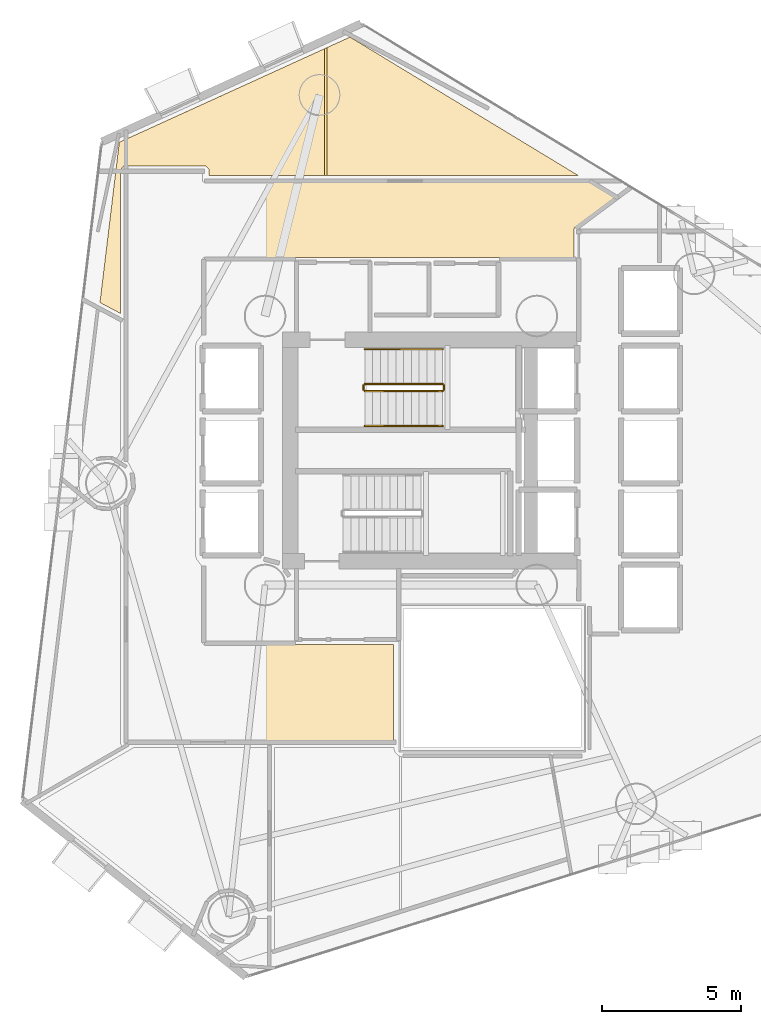
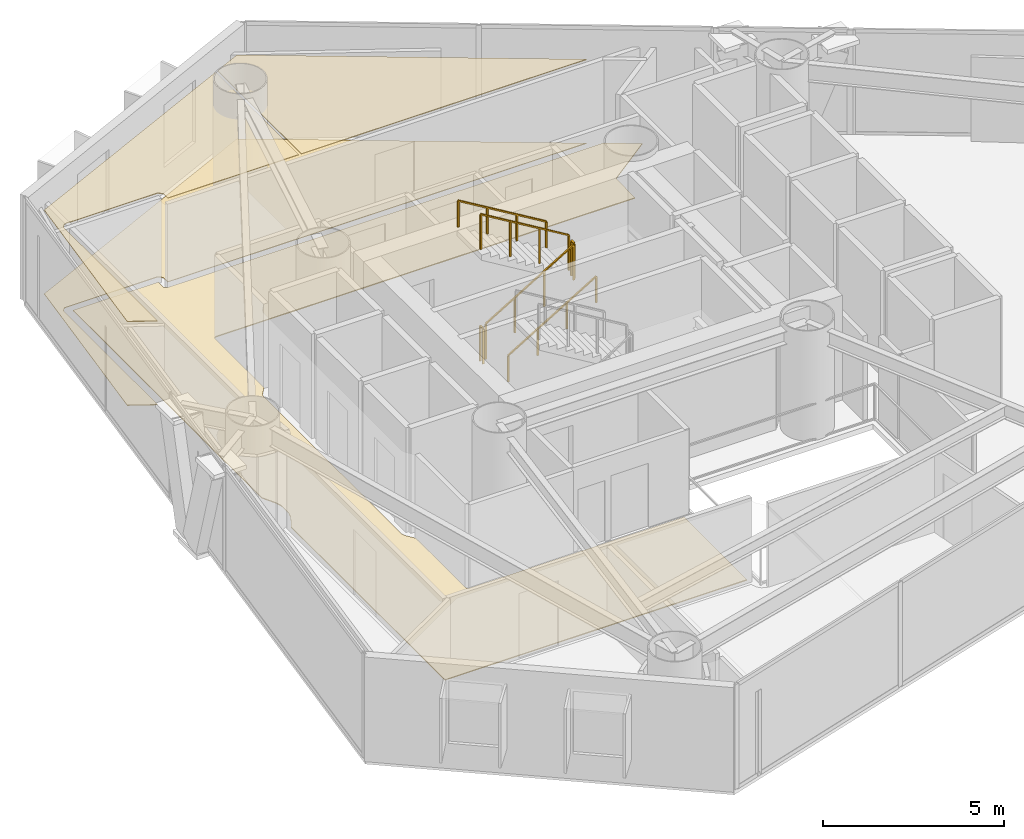
# One storey, part 18 of 18: 6 railings, 4 coverings.
"""IFC4 building model written with IfcOpenShell, lengths in metres."""

from ifc_helpers import new_model, si_unit, direction, frame, origin, origin_2d, place, context, subcontext, project, spatial, polyline, rectangle, outline, extrude, material, layer, layer_set, type_object, element, save


model = new_model("IFC4")

# Units and contexts
model_context = context("Model", 3, precision=1e-05, world=origin(), true_north=direction((0.0, 1.0)))
body_context = subcontext(model_context, "Body", "Model", "MODEL_VIEW")
ifc_project = project(units=[si_unit("LENGTHUNIT", "METRE"), si_unit("AREAUNIT", "SQUARE_METRE"), si_unit("VOLUMEUNIT", "CUBIC_METRE"), si_unit("PLANEANGLEUNIT", "RADIAN"), si_unit("MASSUNIT", "GRAM", prefix="KILO")], contexts=[model_context])

# Site, building, storey
site_placement = place(None, origin())
site = spatial("IfcSite", under=ifc_project, at=site_placement, CompositionType="ELEMENT")
building_placement = place(site_placement, origin())
building = spatial("IfcBuilding", under=site, at=building_placement, Name="Qianvela Tower", CompositionType="ELEMENT")
storey_placement = place(building_placement, frame((0.0, 0.0, 116.300048828125)))
storey = spatial("IfcBuildingStorey", under=building, at=storey_placement, Name="L29", CompositionType="ELEMENT", Elevation=116.300048828125)

# Coverings
ifc_material_1 = material(Name="Perforated Mineral Acoustic Ceiling Tile")
ifc_layer_1 = layer(ifc_material_1, 0.02490234375)
ifc_layer_set_1 = layer_set([ifc_layer_1], Name="Perforated Mineral Acoustic Ceiling Tile")
covering_type_1 = type_object("IfcCoveringType", Name="COV-CEIL-ACOUSTIC-25", PredefinedType="CEILING", material=ifc_layer_set_1)
covering_1_placement = place(storey_placement, frame((0.0, 0.0, 2.81494140625)))
element("IfcCovering", 1, at=covering_1_placement, inside=storey, type_object=covering_type_1, Name="L29 Acoustic Ceiling Bay 1 Commons Day Lounge L29-05", PredefinedType="CEILING", context=body_context, shape_type="SweptSolid", body=[
    extrude(outline(polyline([(26.57958984375, 38.610107421875), (26.57861328125, 38.81591796875), (26.577880859375, 38.82421875), (26.57666015625, 38.83251953125), (26.574462890625, 38.840576171875), (26.571533203125, 38.84814453125), (26.567626953125, 38.855712890625), (26.563232421875, 38.862548828125), (26.55810546875, 38.868896484375), (26.55224609375, 38.875), (26.481689453125, 38.93896484375), (26.475830078125, 38.943603515625), (26.4697265625, 38.94775390625), (26.46337890625, 38.951416015625), (26.45654296875, 38.954345703125), (26.44970703125, 38.95654296875), (26.4423828125, 38.958251953125), (26.43505859375, 38.959228515625), (26.427734375, 38.959716796875), (23.526611328125, 38.95654296875), (23.518310546875, 38.9560546875), (23.51025390625, 38.954833984375), (23.502197265625, 38.95263671875), (23.494384765625, 38.94970703125), (23.487060546875, 38.946044921875), (23.480224609375, 38.941650390625), (23.4736328125, 38.936279296875), (23.4677734375, 38.9306640625), (23.46240234375, 38.92431640625), (23.40576171875, 38.84765625), (23.40087890625, 38.840576171875), (23.397216796875, 38.8330078125), (23.39404296875, 38.8251953125), (23.391845703125, 38.81689453125), (23.390380859375, 38.80859375), (23.389892578125, 38.800048828125), (23.389892578125, 33.640625), (22.64697265625, 34.03564453125), (23.34423828125, 39.815185546875), (30.7470703125, 43.189697265625), (30.7470703125, 38.610107421875), (26.57958984375, 38.610107421875)])), origin(), (0.0, 0.0, 1.0), 0.02490234375),
])
covering_2_placement = place(storey_placement, frame((0.0, 0.0, 2.81494140625)))
element("IfcCovering", 2, at=covering_2_placement, inside=storey, type_object=covering_type_1, Name="L29 Acoustic Ceiling Bay 2 Commons Day Lounge L29-05", PredefinedType="CEILING", context=body_context, shape_type="SweptSolid", body=[
    extrude(outline(polyline([(39.90478515625, 38.610107421875), (30.8271484375, 38.610107421875), (30.8271484375, 43.226318359375), (31.66357421875, 43.607666015625), (39.90478515625, 38.610107421875)])), origin(), (0.0, 0.0, 1.0), 0.02490234375),
])
ifc_material_2 = material(Name="Engineered Acoustic Oak Timber Flooring", Category="wood")
ifc_layer_2 = layer(ifc_material_2, 0.02001953125)
ifc_layer_set_2 = layer_set([ifc_layer_2], Name="Engineered Acoustic Oak Timber Flooring")
covering_type_2 = type_object("IfcCoveringType", Name="COV-FLOOR-OAK-20", PredefinedType="FLOORING", material=ifc_layer_set_2)
covering_3_placement = place(storey_placement, origin())
element("IfcCovering", 3, at=covering_3_placement, inside=storey, type_object=covering_type_2, Name="L29 Finish Flooring Commons Day Lounge L29-05", PredefinedType="FLOORING", context=body_context, shape_type="SweptSolid", body=[
    extrude(outline(polyline([(31.66357421875, 43.607666015625), (39.90478515625, 38.610107421875), (26.57958984375, 38.610107421875), (26.57861328125, 38.81591796875), (26.577880859375, 38.82421875), (26.57666015625, 38.83251953125), (26.574462890625, 38.840576171875), (26.571533203125, 38.84814453125), (26.567626953125, 38.855712890625), (26.563232421875, 38.862548828125), (26.55810546875, 38.868896484375), (26.55224609375, 38.875), (26.481689453125, 38.93896484375), (26.475830078125, 38.943603515625), (26.4697265625, 38.94775390625), (26.46337890625, 38.951416015625), (26.45654296875, 38.954345703125), (26.44970703125, 38.95654296875), (26.4423828125, 38.958251953125), (26.43505859375, 38.959228515625), (26.427734375, 38.959716796875), (23.526611328125, 38.95654296875), (23.518310546875, 38.9560546875), (23.51025390625, 38.954833984375), (23.502197265625, 38.95263671875), (23.494384765625, 38.94970703125), (23.487060546875, 38.946044921875), (23.480224609375, 38.941650390625), (23.4736328125, 38.936279296875), (23.4677734375, 38.9306640625), (23.46240234375, 38.92431640625), (23.40576171875, 38.84765625), (23.40087890625, 38.840576171875), (23.397216796875, 38.8330078125), (23.39404296875, 38.8251953125), (23.391845703125, 38.81689453125), (23.390380859375, 38.80859375), (23.389892578125, 38.800048828125), (23.389892578125, 33.640625), (22.64697265625, 34.03564453125), (23.34423828125, 39.815185546875), (31.66357421875, 43.607666015625)])), origin(), (0.0, 0.0, 1.0), 0.02001953125),
])
ifc_material_3 = material(Name="Honed Stone Terrazzo Flooring", Category="masonry")
ifc_layer_3 = layer(ifc_material_3, 0.030029296875)
ifc_layer_set_3 = layer_set([ifc_layer_3], Name="Honed Stone Terrazzo Flooring")
covering_type_3 = type_object("IfcCoveringType", Name="COV-FLOOR-TERRAZZO-30", PredefinedType="FLOORING", material=ifc_layer_set_3)
covering_4_placement = place(storey_placement, origin())
element("IfcCovering", 4, at=covering_4_placement, inside=storey, type_object=covering_type_3, Name="L29 Finish Flooring L29 Floor Corridor", PredefinedType="FLOORING", context=body_context, shape_type="SweptSolid", body=[
    extrude(outline(polyline([(23.8505859375, 27.910400390625), (23.84814453125, 27.917724609375), (23.8447265625, 27.9248046875), (23.6298828125, 28.32666015625), (23.6298828125, 38.719970703125), (26.340087890625, 38.719970703125), (26.340087890625, 38.449951171875), (26.34033203125, 38.442138671875), (26.341552734375, 38.434326171875), (26.343505859375, 38.4267578125), (26.34619140625, 38.41943359375), (26.349365234375, 38.412353515625), (26.353515625, 38.405517578125), (26.358154296875, 38.399169921875), (26.36328125, 38.393310546875), (26.369140625, 38.38818359375), (26.37548828125, 38.383544921875), (26.38232421875, 38.37939453125), (26.389404296875, 38.376220703125), (26.396728515625, 38.373291015625), (26.404296875, 38.37158203125), (26.412109375, 38.370361328125), (26.419921875, 38.3701171875), (40.300537109375, 38.3701171875), (41.214111328125, 37.81591796875), (39.78076171875, 36.74853515625), (39.7744140625, 36.743408203125), (39.7685546875, 36.737548828125), (39.763427734375, 36.731201171875), (39.759033203125, 36.724365234375), (39.75537109375, 36.717041015625), (39.75244140625, 36.70947265625), (39.750244140625, 36.701416015625), (39.748779296875, 36.693359375), (39.74853515625, 36.685302734375), (39.73876953125, 35.659912109375), (26.419921875, 35.659912109375), (26.412109375, 35.65966796875), (26.404296875, 35.658447265625), (26.396728515625, 35.656494140625), (26.389404296875, 35.65380859375), (26.38232421875, 35.650634765625), (26.37548828125, 35.646484375), (26.369140625, 35.641845703125), (26.36328125, 35.63671875), (26.358154296875, 35.630859375), (26.353515625, 35.62451171875), (26.349365234375, 35.61767578125), (26.34619140625, 35.610595703125), (26.343505859375, 35.603271484375), (26.341552734375, 35.595703125), (26.34033203125, 35.587890625), (26.340087890625, 35.580078125), (26.340087890625, 32.89599609375), (26.139404296875, 32.62548828125), (26.135498046875, 32.61962890625), (26.132080078125, 32.61376953125), (26.12939453125, 32.607421875), (26.126953125, 32.60107421875), (26.103515625, 32.523193359375), (26.1015625, 32.515625), (26.100341796875, 32.5078125), (26.10009765625, 32.5), (26.10009765625, 24.89990234375), (26.100341796875, 24.89208984375), (26.1015625, 24.884521484375), (26.103515625, 24.876708984375), (26.126953125, 24.799072265625), (26.12939453125, 24.79248046875), (26.132080078125, 24.786376953125), (26.135498046875, 24.7802734375), (26.139404296875, 24.774658203125), (26.340087890625, 24.50390625), (26.340087890625, 21.780029296875), (26.34033203125, 21.772216796875), (26.341552734375, 21.764404296875), (26.343505859375, 21.7568359375), (26.34619140625, 21.74951171875), (26.349365234375, 21.7421875), (26.353515625, 21.735595703125), (26.358154296875, 21.729248046875), (26.36328125, 21.723388671875), (26.369140625, 21.71826171875), (26.37548828125, 21.71337890625), (26.38232421875, 21.70947265625), (26.389404296875, 21.7060546875), (26.396728515625, 21.703369140625), (26.404296875, 21.701416015625), (26.412109375, 21.700439453125), (26.419921875, 21.699951171875), (33.239990234375, 21.699951171875), (33.239990234375, 18.22998046875), (23.6298828125, 18.22998046875), (23.6298828125, 26.705322265625), (23.8447265625, 27.107177734375), (23.84814453125, 27.1142578125), (23.8505859375, 27.12158203125), (23.906005859375, 27.303466796875), (23.90771484375, 27.311279296875), (23.908935546875, 27.31884765625), (23.909423828125, 27.326904296875), (23.909423828125, 27.705078125), (23.908935546875, 27.713134765625), (23.90771484375, 27.720703125), (23.906005859375, 27.728515625), (23.8505859375, 27.910400390625)])), origin(), (0.0, 0.0, 1.0), 0.030029296875),
])

# Railings
ifc_material_4 = material(Name="Painted Tubular Steel Q355B", Category="steel")
railing_type_1 = type_object("IfcRailingType", Name="RL-STAIR-GUARD-1200", PredefinedType="GUARDRAIL", material=ifc_material_4)
railing_1_placement = place(storey_placement, frame((32.199951171875, 30.840087890625, 0.168212890625)))
element("IfcRailing", 5, at=railing_1_placement, inside=storey, type_object=railing_type_1, Name="L29 ST-1 stair guard 1", PredefinedType="GUARDRAIL", context=body_context, shape_type="SweptSolid", body=[
    extrude(rectangle(XDim=0.050048828125, YDim=0.0400390625, at=origin_2d()), frame((0.0, 0.0, 1.179931640625), z_axis=(0.857275202839, 0.0, 0.514858452973), x_axis=(0.0, 1.0, 0.0)), (0.0, 0.0, 1.0), 3.26611328125),
    extrude(rectangle(XDim=0.050048828125, YDim=0.050048828125, at=origin_2d()), origin(), (0.0, 0.0, 1.0), 1.159912109375),
    extrude(rectangle(XDim=0.050048828125, YDim=0.050048828125, at=origin_2d()), frame((0.933349609375, 0.0, 0.560546875)), (0.0, 0.0, 1.0), 1.159912109375),
    extrude(rectangle(XDim=0.050048828125, YDim=0.050048828125, at=origin_2d()), frame((1.86669921875, 0.0, 1.12109375)), (0.0, 0.0, 1.0), 1.159912109375),
    extrude(rectangle(XDim=0.050048828125, YDim=0.050048828125, at=origin_2d()), frame((2.800048828125, 0.0, 1.681640625)), (0.0, 0.0, 1.0), 1.159912109375),
])
railing_2_placement = place(storey_placement, frame((35.050048828125, 30.889892578125, 1.849853515625)))
element("IfcRailing", 6, at=railing_2_placement, inside=storey, type_object=railing_type_1, Name="L29 ST-1 stair guard 2", PredefinedType="GUARDRAIL", context=body_context, shape_type="SweptSolid", body=[
    extrude(rectangle(XDim=0.050048828125, YDim=0.0400390625, at=origin_2d()), frame((0.0, 0.0, 1.179931640625), z_axis=(0.0, 1.0, 0.0), x_axis=(-1.0, 0.0, 0.0)), (0.0, 0.0, 1.0), 0.16015625),
    extrude(rectangle(XDim=0.050048828125, YDim=0.050048828125, at=origin_2d()), origin(), (0.0, 0.0, 1.0), 1.159912109375),
    extrude(rectangle(XDim=0.050048828125, YDim=0.050048828125, at=origin_2d()), frame((0.0, 0.16015625, 0.0)), (0.0, 0.0, 1.0), 1.159912109375),
])
railing_3_placement = place(storey_placement, frame((35.0, 31.10009765625, 2.01806640625)))
element("IfcRailing", 7, at=railing_3_placement, inside=storey, type_object=railing_type_1, Name="L29 ST-1 stair guard 3", PredefinedType="GUARDRAIL", context=body_context, shape_type="SweptSolid", body=[
    extrude(rectangle(XDim=0.050048828125, YDim=0.0400390625, at=origin_2d()), frame((0.0, 0.0, 1.179931640625), z_axis=(-0.857242210791, 0.0, 0.514913383045), x_axis=(0.0, -1.0, 0.0)), (0.0, 0.0, 1.0), 3.266357421875),
    extrude(rectangle(XDim=0.050048828125, YDim=0.050048828125, at=origin_2d()), origin(), (0.0, 0.0, 1.0), 1.159912109375),
    extrude(rectangle(XDim=0.050048828125, YDim=0.050048828125, at=origin_2d()), frame((-0.933349609375, 0.0, 0.560546875)), (0.0, 0.0, 1.0), 1.159912109375),
    extrude(rectangle(XDim=0.050048828125, YDim=0.050048828125, at=origin_2d()), frame((-1.86669921875, 0.0, 1.121337890625)), (0.0, 0.0, 1.0), 1.159912109375),
    extrude(rectangle(XDim=0.050048828125, YDim=0.050048828125, at=origin_2d()), frame((-2.800048828125, 0.0, 1.681884765625)), (0.0, 0.0, 1.0), 1.159912109375),
])
railing_4_placement = place(storey_placement, frame((32.14990234375, 30.889892578125, 0.0)))
element("IfcRailing", 8, at=railing_4_placement, inside=storey, type_object=railing_type_1, Name="L29 ST-1 stair guard 4", PredefinedType="GUARDRAIL", context=body_context, shape_type="SweptSolid", body=[
    extrude(rectangle(XDim=0.050048828125, YDim=0.0400390625, at=origin_2d()), frame((0.0, 0.0, 1.179931640625), z_axis=(0.0, 1.0, 0.0), x_axis=(-1.0, 0.0, 0.0)), (0.0, 0.0, 1.0), 0.16015625),
    extrude(rectangle(XDim=0.050048828125, YDim=0.050048828125, at=origin_2d()), origin(), (0.0, 0.0, 1.0), 1.159912109375),
    extrude(rectangle(XDim=0.050048828125, YDim=0.050048828125, at=origin_2d()), frame((0.0, 0.16015625, 0.0)), (0.0, 0.0, 1.0), 1.159912109375),
])
ifc_material_5 = material(Name="Brushed Stainless Steel 304", Category="steel")
railing_type_2 = type_object("IfcRailingType", Name="RL-STAIR-HANDRAIL-900", PredefinedType="HANDRAIL", material=ifc_material_5)
railing_5_placement = place(storey_placement, frame((32.199951171875, 29.590087890625, 0.168212890625)))
element("IfcRailing", 9, at=railing_5_placement, inside=storey, type_object=railing_type_2, Name="L29 ST-1 stair handrail 1", PredefinedType="HANDRAIL", context=body_context, shape_type="SweptSolid", body=[
    extrude(rectangle(XDim=0.050048828125, YDim=0.0400390625, at=origin_2d()), frame((0.0, 0.0, 0.8798828125), z_axis=(0.857275202839, 0.0, 0.514858452973), x_axis=(0.0, 1.0, 0.0)), (0.0, 0.0, 1.0), 3.26611328125),
    extrude(rectangle(XDim=0.050048828125, YDim=0.050048828125, at=origin_2d()), origin(), (0.0, 0.0, 1.0), 0.85986328125),
    extrude(rectangle(XDim=0.050048828125, YDim=0.050048828125, at=origin_2d()), frame((0.933349609375, 0.0, 0.560546875)), (0.0, 0.0, 1.0), 0.85986328125),
    extrude(rectangle(XDim=0.050048828125, YDim=0.050048828125, at=origin_2d()), frame((1.86669921875, 0.0, 1.12109375)), (0.0, 0.0, 1.0), 0.85986328125),
    extrude(rectangle(XDim=0.050048828125, YDim=0.050048828125, at=origin_2d()), frame((2.800048828125, 0.0, 1.681640625)), (0.0, 0.0, 1.0), 0.85986328125),
])
railing_6_placement = place(storey_placement, frame((35.0, 32.35009765625, 2.01806640625)))
element("IfcRailing", 10, at=railing_6_placement, inside=storey, type_object=railing_type_2, Name="L29 ST-1 stair handrail 2", PredefinedType="HANDRAIL", context=body_context, shape_type="SweptSolid", body=[
    extrude(rectangle(XDim=0.050048828125, YDim=0.0400390625, at=origin_2d()), frame((0.0, 0.0, 0.8798828125), z_axis=(-0.857242210791, 0.0, 0.514913383045), x_axis=(0.0, -1.0, 0.0)), (0.0, 0.0, 1.0), 3.266357421875),
    extrude(rectangle(XDim=0.050048828125, YDim=0.050048828125, at=origin_2d()), origin(), (0.0, 0.0, 1.0), 0.85986328125),
    extrude(rectangle(XDim=0.050048828125, YDim=0.050048828125, at=origin_2d()), frame((-0.933349609375, 0.0, 0.560546875)), (0.0, 0.0, 1.0), 0.85986328125),
    extrude(rectangle(XDim=0.050048828125, YDim=0.050048828125, at=origin_2d()), frame((-1.86669921875, 0.0, 1.121337890625)), (0.0, 0.0, 1.0), 0.85986328125),
    extrude(rectangle(XDim=0.050048828125, YDim=0.050048828125, at=origin_2d()), frame((-2.800048828125, 0.0, 1.681884765625)), (0.0, 0.0, 1.0), 0.85986328125),
])

save(model, "model.ifc")
